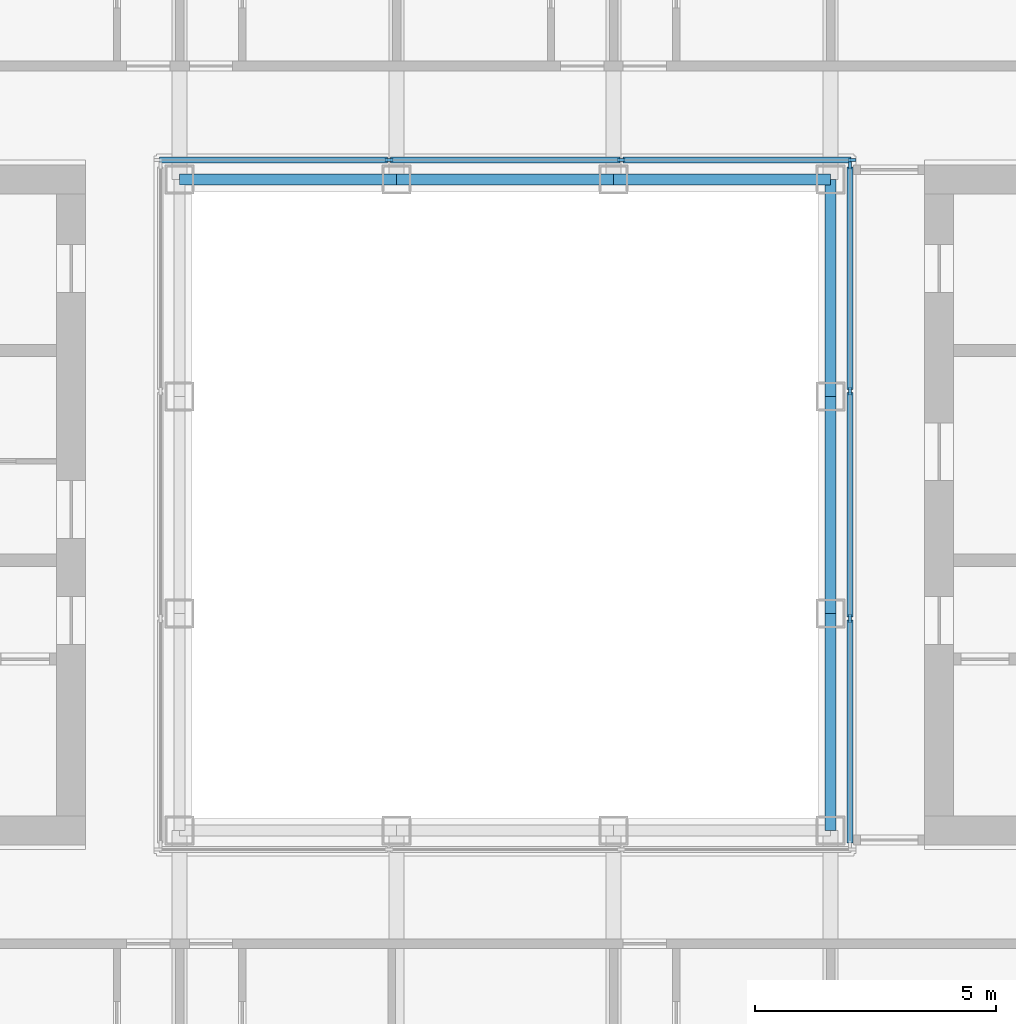
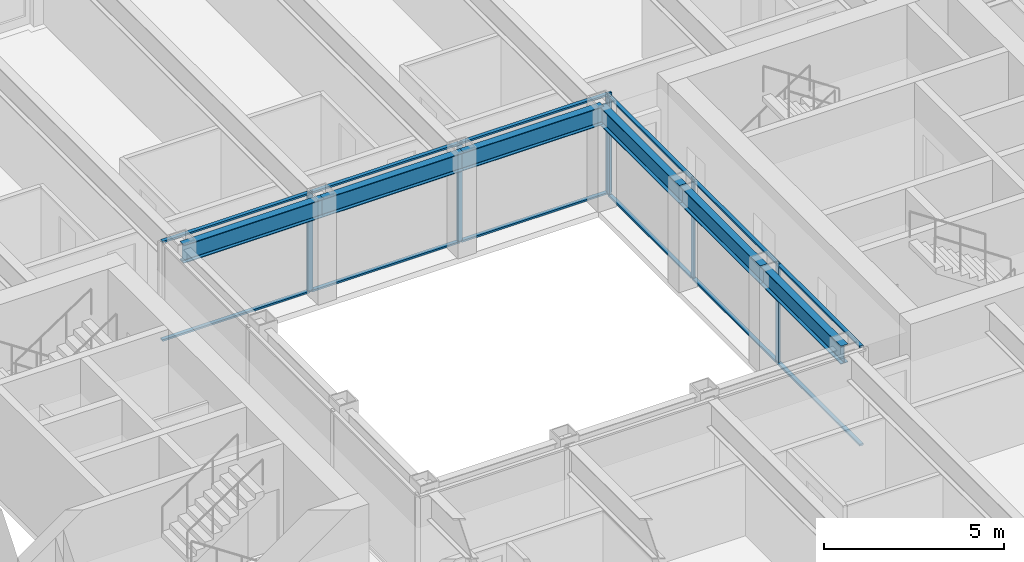
# One storey, part 5 of 17: 18 members, 6 beams, 2 elements without a shape of their own.
"""IFC4 building model written with IfcOpenShell, lengths in metres."""

from ifc_helpers import new_model, si_unit, direction, frame, origin, origin_2d, place, context, subcontext, project, spatial, rectangle, i_section, extrude, material, material_profile, profile_set, type_object, element, aggregate, save


model = new_model("IFC4")

# Units and contexts
model_context = context("Model", 3, precision=1e-05, world=origin(), true_north=direction((0.0, 1.0)))
body_context = subcontext(model_context, "Body", "Model", "MODEL_VIEW")
ifc_project = project(units=[si_unit("LENGTHUNIT", "METRE"), si_unit("AREAUNIT", "SQUARE_METRE"), si_unit("VOLUMEUNIT", "CUBIC_METRE"), si_unit("PLANEANGLEUNIT", "RADIAN"), si_unit("MASSUNIT", "GRAM", prefix="KILO")], contexts=[model_context])

# Site, building, storey
site_placement = place(None, origin())
site = spatial("IfcSite", under=ifc_project, at=site_placement, CompositionType="ELEMENT")
building_placement = place(site_placement, origin())
building = spatial("IfcBuilding", under=site, at=building_placement, Name="Msasa Ring Tower", CompositionType="ELEMENT")
storey_placement = place(building_placement, frame((0.0, 0.0, 143.60009765625)))
storey = spatial("IfcBuildingStorey", under=building, at=storey_placement, Name="L37", CompositionType="ELEMENT", Elevation=143.60009765625)

# Curtain wall, members
ifc_material_1 = material(Name="Aluminium curtain wall with clear glass", Category="aluminium")
curtain_wall_type = type_object("IfcCurtainWallType", Name="CW-W LIGHT WELL CURTAIN WALL", PredefinedType="NOTDEFINED", material=ifc_material_1)
curtain_wall_1_placement = place(storey_placement, origin())
curtain_wall_1 = element("IfcCurtainWall", 1, at=curtain_wall_1_placement, inside=storey, type_object=curtain_wall_type, Name="Light well curtain wall N L37", PredefinedType="NOTDEFINED")
ifc_material_2 = material(Name="Aluminium mullion", Category="aluminium")
ifc_material_profile_1 = material_profile(ifc_material_2, rectangle(XDim=0.06005859375, YDim=0.159912109375, at=origin_2d()), Name="AL 60x160")
ifc_profile_set_1 = profile_set([ifc_material_profile_1], Name="Aluminium mullion")
member_type_1 = type_object("IfcMemberType", Name="CW-W MULLION 60x160", PredefinedType="MULLION", material=ifc_profile_set_1)
member_1_placement = place(storey_placement, frame((-2.409912109375, 7.14990234375, 0.0), z_axis=(0.0, 0.0, 1.0), x_axis=(0.0, 1.0, 0.0)))
member_1 = element("IfcMember", 2, at=member_1_placement, type_object=member_type_1, Name="CW-W mullion 2", PredefinedType="MULLION", context=body_context, shape_type="SweptSolid", body=[
    extrude(rectangle(XDim=0.06005859375, YDim=0.159912109375, at=origin_2d()), origin(), (0.0, 0.0, 1.0), 3.39990234375),
])
member_2_placement = place(storey_placement, frame((2.409912109375, 7.14990234375, 0.0), z_axis=(0.0, 0.0, 1.0), x_axis=(0.0, 1.0, 0.0)))
member_2 = element("IfcMember", 3, at=member_2_placement, type_object=member_type_1, Name="CW-W mullion 3", PredefinedType="MULLION", context=body_context, shape_type="SweptSolid", body=[
    extrude(rectangle(XDim=0.06005859375, YDim=0.159912109375, at=origin_2d()), origin(), (0.0, 0.0, 1.0), 3.39990234375),
])
member_3_placement = place(storey_placement, frame((7.199951171875, 7.14990234375, 0.0), z_axis=(0.0, 0.0, 1.0), x_axis=(0.0, 1.0, 0.0)))
member_3 = element("IfcMember", 4, at=member_3_placement, type_object=member_type_1, Name="CW-W mullion 4", PredefinedType="MULLION", context=body_context, shape_type="SweptSolid", body=[
    extrude(rectangle(XDim=0.06005859375, YDim=0.159912109375, at=origin_2d()), origin(), (0.0, 0.0, 1.0), 3.39990234375),
])

curtain_wall_2_placement = place(storey_placement, origin())
curtain_wall_2 = element("IfcCurtainWall", 5, at=curtain_wall_2_placement, inside=storey, type_object=curtain_wall_type, Name="Light well curtain wall E L37", PredefinedType="NOTDEFINED")
member_4_placement = place(storey_placement, frame((7.14990234375, -2.356689453125, 0.0), z_axis=(0.0, 0.0, 1.0), x_axis=(-1.0, 0.0, 0.0)))
member_4 = element("IfcMember", 6, at=member_4_placement, type_object=member_type_1, Name="CW-W mullion 2", PredefinedType="MULLION", context=body_context, shape_type="SweptSolid", body=[
    extrude(rectangle(XDim=0.06005859375, YDim=0.159912109375, at=origin_2d()), origin(), (0.0, 0.0, 1.0), 3.39990234375),
])
member_5_placement = place(storey_placement, frame((7.14990234375, 2.356689453125, 0.0), z_axis=(0.0, 0.0, 1.0), x_axis=(-1.0, 0.0, 0.0)))
member_5 = element("IfcMember", 7, at=member_5_placement, type_object=member_type_1, Name="CW-W mullion 3", PredefinedType="MULLION", context=body_context, shape_type="SweptSolid", body=[
    extrude(rectangle(XDim=0.06005859375, YDim=0.159912109375, at=origin_2d()), origin(), (0.0, 0.0, 1.0), 3.39990234375),
])
member_6_placement = place(storey_placement, frame((7.14990234375, 7.0400390625, 0.0), z_axis=(0.0, 0.0, 1.0), x_axis=(-1.0, 0.0, 0.0)))
member_6 = element("IfcMember", 8, at=member_6_placement, type_object=member_type_1, Name="CW-W mullion 4", PredefinedType="MULLION", context=body_context, shape_type="SweptSolid", body=[
    extrude(rectangle(XDim=0.06005859375, YDim=0.159912109375, at=origin_2d()), origin(), (0.0, 0.0, 1.0), 3.39990234375),
])

# Member
ifc_material_3 = material(Name="Aluminium transom", Category="aluminium")
ifc_material_profile_2 = material_profile(ifc_material_3, rectangle(XDim=0.1201171875, YDim=0.06005859375, at=origin_2d()), Name="AL 60x120")
ifc_profile_set_2 = profile_set([ifc_material_profile_2], Name="Aluminium transom")
member_type_2 = type_object("IfcMemberType", Name="CW-W TRANSOM 60x120", PredefinedType="USERDEFINED", material=ifc_profile_set_2)
member_7_placement = place(storey_placement, frame((-7.169921875, 7.14990234375, 0.02978515625), z_axis=(1.0, 0.0, 0.0), x_axis=(0.0, 1.0, 0.0)))
member_7 = element("IfcMember", 9, at=member_7_placement, type_object=member_type_2, Name="CW-W transom 1.1", ObjectType="TRANSOM", PredefinedType="USERDEFINED", context=body_context, shape_type="SweptSolid", body=[
    extrude(rectangle(XDim=0.1201171875, YDim=0.06005859375, at=origin_2d()), origin(), (0.0, 0.0, 1.0), 4.72998046875),
])

member_8_placement = place(storey_placement, frame((-7.169921875, 7.14990234375, 3.369873046875), z_axis=(1.0, 0.0, 0.0), x_axis=(0.0, 1.0, 0.0)))
member_8 = element("IfcMember", 10, at=member_8_placement, type_object=member_type_2, Name="CW-W transom 1.2", ObjectType="TRANSOM", PredefinedType="USERDEFINED", context=body_context, shape_type="SweptSolid", body=[
    extrude(rectangle(XDim=0.1201171875, YDim=0.06005859375, at=origin_2d()), origin(), (0.0, 0.0, 1.0), 4.72998046875),
])

member_9_placement = place(storey_placement, frame((-2.3798828125, 7.14990234375, 0.02978515625), z_axis=(1.0, 0.0, 0.0), x_axis=(0.0, 1.0, 0.0)))
member_9 = element("IfcMember", 11, at=member_9_placement, type_object=member_type_2, Name="CW-W transom 2.1", ObjectType="TRANSOM", PredefinedType="USERDEFINED", context=body_context, shape_type="SweptSolid", body=[
    extrude(rectangle(XDim=0.1201171875, YDim=0.06005859375, at=origin_2d()), origin(), (0.0, 0.0, 1.0), 4.759765625),
])

member_10_placement = place(storey_placement, frame((-2.3798828125, 7.14990234375, 3.369873046875), z_axis=(1.0, 0.0, 0.0), x_axis=(0.0, 1.0, 0.0)))
member_10 = element("IfcMember", 12, at=member_10_placement, type_object=member_type_2, Name="CW-W transom 2.2", ObjectType="TRANSOM", PredefinedType="USERDEFINED", context=body_context, shape_type="SweptSolid", body=[
    extrude(rectangle(XDim=0.1201171875, YDim=0.06005859375, at=origin_2d()), origin(), (0.0, 0.0, 1.0), 4.759765625),
])

member_11_placement = place(storey_placement, frame((2.43994140625, 7.14990234375, 0.02978515625), z_axis=(1.0, 0.0, 0.0), x_axis=(0.0, 1.0, 0.0)))
member_11 = element("IfcMember", 13, at=member_11_placement, type_object=member_type_2, Name="CW-W transom 3.1", ObjectType="TRANSOM", PredefinedType="USERDEFINED", context=body_context, shape_type="SweptSolid", body=[
    extrude(rectangle(XDim=0.1201171875, YDim=0.06005859375, at=origin_2d()), origin(), (0.0, 0.0, 1.0), 4.72998046875),
])

member_12_placement = place(storey_placement, frame((2.43994140625, 7.14990234375, 3.369873046875), z_axis=(1.0, 0.0, 0.0), x_axis=(0.0, 1.0, 0.0)))
member_12 = element("IfcMember", 14, at=member_12_placement, type_object=member_type_2, Name="CW-W transom 3.2", ObjectType="TRANSOM", PredefinedType="USERDEFINED", context=body_context, shape_type="SweptSolid", body=[
    extrude(rectangle(XDim=0.1201171875, YDim=0.06005859375, at=origin_2d()), origin(), (0.0, 0.0, 1.0), 4.72998046875),
])

aggregate(curtain_wall_1, [member_1, member_2, member_3, member_7, member_8, member_9, member_10, member_11, member_12])

member_13_placement = place(storey_placement, frame((7.14990234375, -7.010009765625, 0.02978515625), z_axis=(0.0, 1.0, 0.0), x_axis=(-1.0, 0.0, 0.0)))
member_13 = element("IfcMember", 15, at=member_13_placement, type_object=member_type_2, Name="CW-W transom 1.1", ObjectType="TRANSOM", PredefinedType="USERDEFINED", context=body_context, shape_type="SweptSolid", body=[
    extrude(rectangle(XDim=0.1201171875, YDim=0.06005859375, at=origin_2d()), origin(), (0.0, 0.0, 1.0), 4.623291015625),
])

member_14_placement = place(storey_placement, frame((7.14990234375, -7.010009765625, 3.369873046875), z_axis=(0.0, 1.0, 0.0), x_axis=(-1.0, 0.0, 0.0)))
member_14 = element("IfcMember", 16, at=member_14_placement, type_object=member_type_2, Name="CW-W transom 1.2", ObjectType="TRANSOM", PredefinedType="USERDEFINED", context=body_context, shape_type="SweptSolid", body=[
    extrude(rectangle(XDim=0.1201171875, YDim=0.06005859375, at=origin_2d()), origin(), (0.0, 0.0, 1.0), 4.623291015625),
])

member_15_placement = place(storey_placement, frame((7.14990234375, -2.32666015625, 0.02978515625), z_axis=(0.0, 1.0, 0.0), x_axis=(-1.0, 0.0, 0.0)))
member_15 = element("IfcMember", 17, at=member_15_placement, type_object=member_type_2, Name="CW-W transom 2.1", ObjectType="TRANSOM", PredefinedType="USERDEFINED", context=body_context, shape_type="SweptSolid", body=[
    extrude(rectangle(XDim=0.1201171875, YDim=0.06005859375, at=origin_2d()), origin(), (0.0, 0.0, 1.0), 4.6533203125),
])

member_16_placement = place(storey_placement, frame((7.14990234375, -2.32666015625, 3.369873046875), z_axis=(0.0, 1.0, 0.0), x_axis=(-1.0, 0.0, 0.0)))
member_16 = element("IfcMember", 18, at=member_16_placement, type_object=member_type_2, Name="CW-W transom 2.2", ObjectType="TRANSOM", PredefinedType="USERDEFINED", context=body_context, shape_type="SweptSolid", body=[
    extrude(rectangle(XDim=0.1201171875, YDim=0.06005859375, at=origin_2d()), origin(), (0.0, 0.0, 1.0), 4.6533203125),
])

member_17_placement = place(storey_placement, frame((7.14990234375, 2.38671875, 0.02978515625), z_axis=(0.0, 1.0, 0.0), x_axis=(-1.0, 0.0, 0.0)))
member_17 = element("IfcMember", 19, at=member_17_placement, type_object=member_type_2, Name="CW-W transom 3.1", ObjectType="TRANSOM", PredefinedType="USERDEFINED", context=body_context, shape_type="SweptSolid", body=[
    extrude(rectangle(XDim=0.1201171875, YDim=0.06005859375, at=origin_2d()), origin(), (0.0, 0.0, 1.0), 4.623291015625),
])

member_18_placement = place(storey_placement, frame((7.14990234375, 2.38671875, 3.369873046875), z_axis=(0.0, 1.0, 0.0), x_axis=(-1.0, 0.0, 0.0)))
member_18 = element("IfcMember", 20, at=member_18_placement, type_object=member_type_2, Name="CW-W transom 3.2", ObjectType="TRANSOM", PredefinedType="USERDEFINED", context=body_context, shape_type="SweptSolid", body=[
    extrude(rectangle(XDim=0.1201171875, YDim=0.06005859375, at=origin_2d()), origin(), (0.0, 0.0, 1.0), 4.623291015625),
])

aggregate(curtain_wall_2, [member_4, member_5, member_6, member_13, member_14, member_15, member_16, member_17, member_18])

# Beams
ifc_material_4 = material(Name="Steel S355", Category="steel")
ifc_material_profile_3 = material_profile(ifc_material_4, i_section(OverallWidth=0.230224609375, OverallDepth=0.6171875, WebThickness=0.01318359375, FlangeThickness=0.022216796875, FilletRadius=0.0126953125, at=origin_2d()), Name="UB 610x229x140")
ifc_profile_set_3 = profile_set([ifc_material_profile_3], Name="Steel S355")
beam_type = type_object("IfcBeamType", Name="RB1 UB 610x229x140", PredefinedType="BEAM", material=ifc_profile_set_3)
for number, where, z_axis, x_axis, name in (
    (21, (6.75, -6.75, 3.09130859375), (0.0, 1.0, 0.0), (-1.0, 0.0, 0.0), "Inner ring beam IR+6.75-6.75 under L38"),
    (22, (6.75, -2.25, 3.09130859375), (0.0, 1.0, 0.0), (-1.0, 0.0, 0.0), "Inner ring beam IR+6.75-2.25 under L38"),
    (23, (6.75, 2.25, 3.09130859375), (0.0, 1.0, 0.0), (-1.0, 0.0, 0.0), "Inner ring beam IR+6.75+2.25 under L38"),
    (24, (6.75, 6.75, 3.09130859375), (-1.0, 0.0, 0.0), (0.0, -1.0, 0.0), "Inner ring beam IR+6.75+6.75 under L38"),
    (25, (2.25, 6.75, 3.09130859375), (-1.0, 0.0, 0.0), (0.0, -1.0, 0.0), "Inner ring beam IR+2.25+6.75 under L38"),
    (26, (-2.25, 6.75, 3.09130859375), (-1.0, 0.0, 0.0), (0.0, -1.0, 0.0), "Inner ring beam IR-2.25+6.75 under L38"),
):
    element("IfcBeam", number, at=place(storey_placement, frame(where, z_axis=z_axis, x_axis=x_axis)), inside=storey, type_object=beam_type, Name=name, PredefinedType="BEAM", context=body_context, shape_type="SweptSolid", body=[
        extrude(i_section(OverallWidth=0.230224609375, OverallDepth=0.6171875, WebThickness=0.01318359375, FlangeThickness=0.022216796875, FilletRadius=0.0126953125, at=origin_2d()), origin(), (0.0, 0.0, 1.0), 4.5),
    ])

save(model, "model.ifc")
